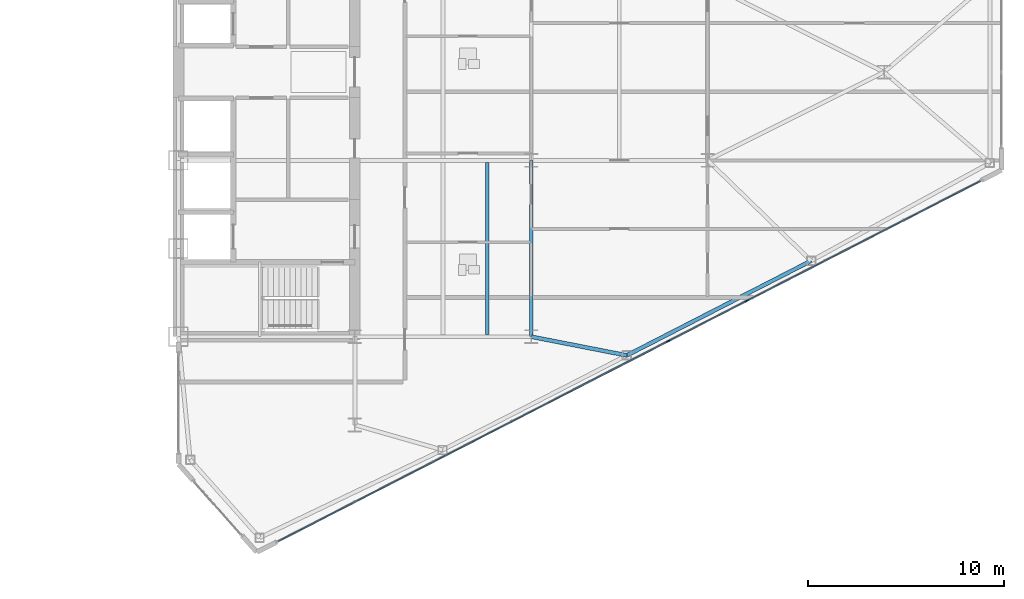
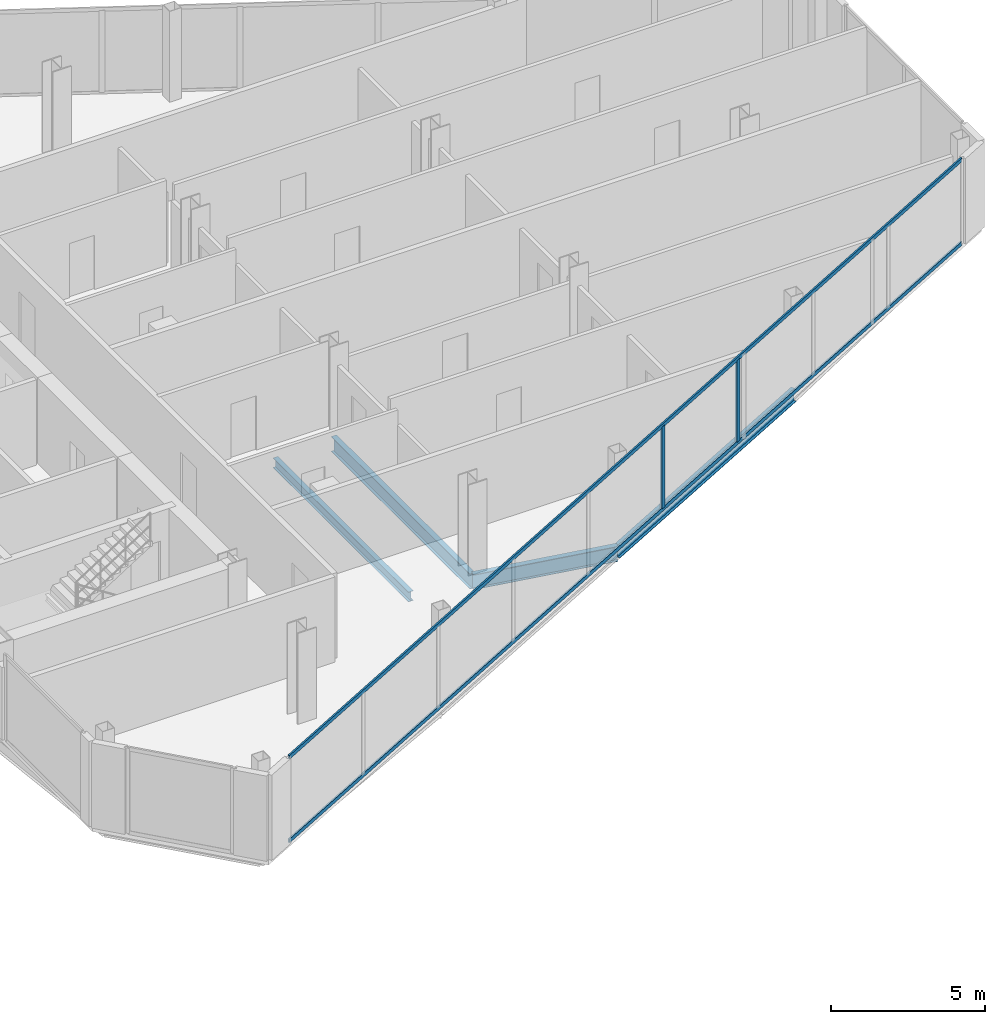
# One storey, part 9 of 24: 4 beams, 4 members, 1 element without a shape of its own.
"""IFC4 building model written with IfcOpenShell, lengths in metres."""

from ifc_helpers import new_model, si_unit, direction, frame, origin, origin_2d, place, context, subcontext, project, spatial, rectangle, i_section, extrude, source, transform, mapped, material, layer, layer_set, material_profile, profile_set, type_object, type_shapes, element, aggregate, save


model = new_model("IFC4")

# Units and contexts
model_context = context("Model", 3, precision=1e-05, world=origin(), true_north=direction((0.0, 1.0)))
body_context = subcontext(model_context, "Body", "Model", "MODEL_VIEW")
ifc_project = project(units=[si_unit("LENGTHUNIT", "METRE"), si_unit("AREAUNIT", "SQUARE_METRE"), si_unit("VOLUMEUNIT", "CUBIC_METRE"), si_unit("PLANEANGLEUNIT", "RADIAN"), si_unit("MASSUNIT", "GRAM", prefix="KILO")], contexts=[model_context])

# Site, building, storey
site_placement = place(None, origin())
site = spatial("IfcSite", under=ifc_project, at=site_placement, CompositionType="ELEMENT")
building_placement = place(site_placement, origin())
building = spatial("IfcBuilding", under=site, at=building_placement, Name="Seokmaru Belvedere", CompositionType="ELEMENT")
storey_placement = place(building_placement, frame((0.0, 0.0, 140.39990234375)))
storey = spatial("IfcBuildingStorey", under=building, at=storey_placement, Name="L37", CompositionType="ELEMENT", Elevation=140.39990234375)

# Beams
ifc_material_1 = material(Name="Steel SM355 (355 MPa)", Category="steel")
ifc_material_profile_1 = material_profile(ifc_material_1, i_section(OverallWidth=0.199951171875, OverallDepth=0.60009765625, WebThickness=0.010986328125, FlangeThickness=0.01708984375, at=origin_2d()), Name="H-600x200x11x17")
ifc_profile_set_1 = profile_set([ifc_material_profile_1], Name="Steel SM355 (355 MPa)")
beam_type_1 = type_object("IfcBeamType", Name="Primary Floor Girder H-600", PredefinedType="BEAM", material=ifc_profile_set_1)
shared_shape_1 = source(origin(), body_context, "Body", "SweptSolid", [
    extrude(i_section(OverallWidth=0.199951171875, OverallDepth=0.60009765625, WebThickness=0.010986328125, FlangeThickness=0.01708984375, at=origin_2d()), origin(), (0.0, 0.0, 1.0), 9.0),
])
beam_1_placement = place(storey_placement, frame((45.5, -13.5, -0.52001953125), z_axis=(0.0, 1.0, 0.0), x_axis=(-1.0, 0.0, 0.0)))
element("IfcBeam", 1, at=beam_1_placement, inside=storey, type_object=beam_type_1, Name="L37 E Interior Grid Girder 1", PredefinedType="BEAM", context=body_context, shape_type="MappedRepresentation", body=[
    mapped(shared_shape_1, transform((0.0, 0.0, 0.0), scale=1.0)),
])
ifc_material_profile_2 = material_profile(ifc_material_1, i_section(OverallWidth=0.18505859375, OverallDepth=0.389892578125, WebThickness=0.008056640625, FlangeThickness=0.011962890625, at=origin_2d()), Name="H-390x185x8x12")
ifc_profile_set_2 = profile_set([ifc_material_profile_2], Name="Steel SM355 (355 MPa)")
beam_type_2 = type_object("IfcBeamType", Name="Secondary Floor Joist H-350", PredefinedType="JOIST", material=ifc_profile_set_2)
shared_shape_2 = source(origin(), body_context, "Body", "SweptSolid", [
    extrude(i_section(OverallWidth=0.18505859375, OverallDepth=0.389892578125, WebThickness=0.008056640625, FlangeThickness=0.011962890625, at=origin_2d()), origin(), (0.0, 0.0, 1.0), 8.7900390625),
])
type_shapes(beam_type_2, [shared_shape_2])
beam_2_placement = place(storey_placement, frame((43.25, -13.39501953125, -0.414794921875), z_axis=(0.0, 1.0, 0.0), x_axis=(-1.0, 0.0, 0.0)))
element("IfcBeam", 2, at=beam_2_placement, inside=storey, type_object=beam_type_2, Name="L37 E Wing Inner Secondary Joist 1", PredefinedType="JOIST", context=body_context, shape_type="MappedRepresentation", body=[
    mapped(shared_shape_2, transform((0.0, 0.0, 0.0), scale=1.0)),
])
ifc_material_profile_3 = material_profile(ifc_material_1, i_section(OverallWidth=0.199951171875, OverallDepth=0.5, WebThickness=0.010009765625, FlangeThickness=0.01611328125, at=origin_2d()), Name="H-500x200x10x16")
ifc_profile_set_3 = profile_set([ifc_material_profile_3], Name="Steel SM355 (355 MPa)")
beam_type_3 = type_object("IfcBeamType", Name="Perimeter Spandrel Beam H-500", PredefinedType="SPANDREL", material=ifc_profile_set_3)
shared_shape_3 = source(origin(), body_context, "Body", "SweptSolid", [
    extrude(i_section(OverallWidth=0.199951171875, OverallDepth=0.5, WebThickness=0.010009765625, FlangeThickness=0.01611328125, at=origin_2d()), origin(), (0.0, 0.0, 1.0), 10.56689453125),
])
type_shapes(beam_type_3, [shared_shape_3])
beam_3_placement = place(storey_placement, frame((50.377197265625, -14.453369140625, -0.469970703125), z_axis=(0.889692588006, 0.456560071455, 0.0), x_axis=(-0.456560071455, 0.889692588006, 0.0)))
element("IfcBeam", 3, at=beam_3_placement, inside=storey, type_object=beam_type_3, Name="L37 E Faceted Flank Spandrel S-3", PredefinedType="SPANDREL", context=body_context, shape_type="MappedRepresentation", body=[
    mapped(shared_shape_3, transform((0.0, 0.0, 0.0), scale=1.0)),
])
shared_shape_4 = source(origin(), body_context, "Body", "SweptSolid", [
    extrude(i_section(OverallWidth=0.199951171875, OverallDepth=0.60009765625, WebThickness=0.010986328125, FlangeThickness=0.01708984375, at=origin_2d()), origin(), (0.0, 0.0, 1.0), 4.969482421875),
])
type_shapes(beam_type_1, [shared_shape_1, shared_shape_4])
beam_4_placement = place(storey_placement, frame((50.377197265625, -14.453369140625, -0.52001953125), z_axis=(-0.98142544456, 0.19184393858, 0.0), x_axis=(-0.19184393858, -0.98142544456, 0.0)))
element("IfcBeam", 4, at=beam_4_placement, inside=storey, type_object=beam_type_1, Name="L37 E Flank Radial Floor Girder S-2", PredefinedType="BEAM", context=body_context, shape_type="MappedRepresentation", body=[
    mapped(shared_shape_4, transform((0.0, 0.0, 0.0), scale=1.0)),
])

# Curtain wall, members
ifc_material_2 = material(Name="Bronze Triple Insulating Glass", Category="glass")
ifc_layer = layer(ifc_material_2, 0.195068359375)
ifc_layer_set = layer_set([ifc_layer], Name="Bronze Triple Insulating Glass")
curtain_wall_type = type_object("IfcCurtainWallType", Name="Sky-Lobby and Mid-Rise Curtain Wall System CW-4", PredefinedType="NOTDEFINED", material=ifc_layer_set)
curtain_wall_placement = place(storey_placement, origin())
curtain_wall = element("IfcCurtainWall", 5, at=curtain_wall_placement, inside=storey, type_object=curtain_wall_type, Name="L37 Curtain Wall EF1", PredefinedType="NOTDEFINED")
ifc_material_3 = material(Name="Anodised Bronze Aluminium", Category="aluminium")
ifc_material_profile_4 = material_profile(ifc_material_3, rectangle(XDim=0.070068359375, YDim=0.195068359375, at=origin_2d()), Name="CW-M-70x195")
ifc_profile_set_4 = profile_set([ifc_material_profile_4], Name="Anodised Bronze Aluminium")
member_type_1 = type_object("IfcMemberType", Name="Bronze Unitised Mullion 70x195", PredefinedType="MULLION", material=ifc_profile_set_4)
shared_shape_5 = source(origin(), body_context, "Body", "SweptSolid", [
    extrude(rectangle(XDim=0.070068359375, YDim=0.195068359375, at=origin_2d()), origin(), (0.0, 0.0, 1.0), 3.25),
])
type_shapes(member_type_1, [shared_shape_5])
member_1_placement = place(storey_placement, frame((52.497314453125, -13.72509765625, 0.065185546875), z_axis=(0.0, 0.0, 1.0), x_axis=(-0.456554528263, 0.889695432562, 0.0)))
member_1 = element("IfcMember", 6, at=member_1_placement, type_object=member_type_1, Name="CW:L37:EF1 Mullion 6", PredefinedType="MULLION", context=body_context, shape_type="MappedRepresentation", body=[
    mapped(shared_shape_5, transform((0.0, 0.0, 0.0), scale=1.0)),
])
member_2_placement = place(storey_placement, frame((56.4921875, -11.675048828125, 0.065185546875), z_axis=(0.0, 0.0, 1.0), x_axis=(-0.456554528263, 0.889695432562, 0.0)))
member_2 = element("IfcMember", 7, at=member_2_placement, type_object=member_type_1, Name="CW:L37:EF1 Mullion 7", PredefinedType="MULLION", context=body_context, shape_type="MappedRepresentation", body=[
    mapped(shared_shape_5, transform((0.0, 0.0, 0.0), scale=1.0)),
])
ifc_material_profile_5 = material_profile(ifc_material_3, rectangle(XDim=0.06494140625, YDim=0.14990234375, at=origin_2d()), Name="CW-T-65x150")
ifc_profile_set_5 = profile_set([ifc_material_profile_5], Name="Anodised Bronze Aluminium")
member_type_2 = type_object("IfcMemberType", Name="Bronze Unitised Transom 65x150", PredefinedType="USERDEFINED", material=ifc_profile_set_5)
shared_shape_6 = source(origin(), body_context, "Body", "SweptSolid", [
    extrude(rectangle(XDim=0.06494140625, YDim=0.14990234375, at=origin_2d()), origin(), (0.0, 0.0, 1.0), 40.271240234375),
])
type_shapes(member_type_2, [shared_shape_6])
member_3_placement = place(storey_placement, frame((32.58544921875, -23.943115234375, 0.03271484375), z_axis=(0.889693089107, 0.456559094965, 0.0), x_axis=(-0.456559094965, 0.889693089107, 0.0)))
member_3 = element("IfcMember", 8, at=member_3_placement, type_object=member_type_2, Name="CW:L37:EF1 Continuous Transom 1", ObjectType="TRANSOM", PredefinedType="USERDEFINED", context=body_context, shape_type="MappedRepresentation", body=[
    mapped(shared_shape_6, transform((0.0, 0.0, 0.0), scale=1.0)),
])
member_4_placement = place(storey_placement, frame((32.58544921875, -23.943115234375, 3.34765625), z_axis=(0.889693089107, 0.456559094965, 0.0), x_axis=(-0.456559094965, 0.889693089107, 0.0)))
member_4 = element("IfcMember", 9, at=member_4_placement, type_object=member_type_2, Name="CW:L37:EF1 Continuous Transom 2", ObjectType="TRANSOM", PredefinedType="USERDEFINED", context=body_context, shape_type="MappedRepresentation", body=[
    mapped(shared_shape_6, transform((0.0, 0.0, 0.0), scale=1.0)),
])
aggregate(curtain_wall, [member_1, member_2, member_3, member_4])

save(model, "model.ifc")
